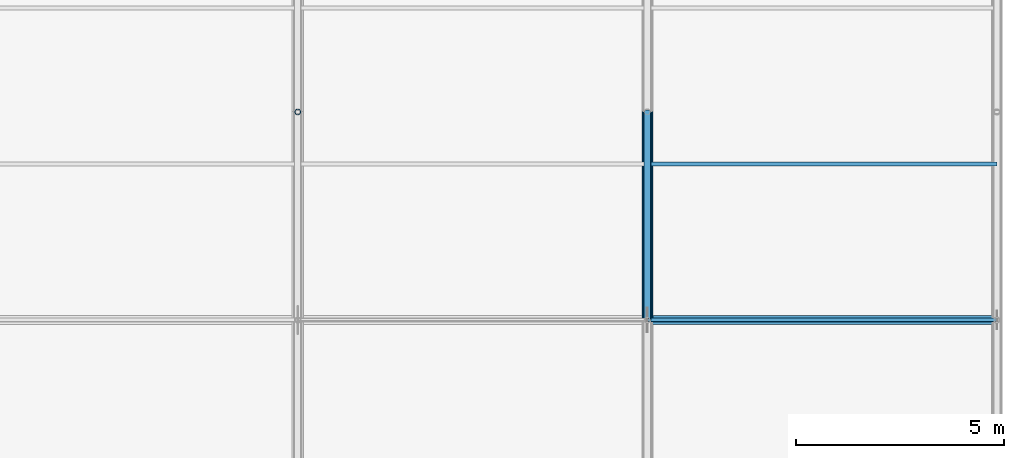
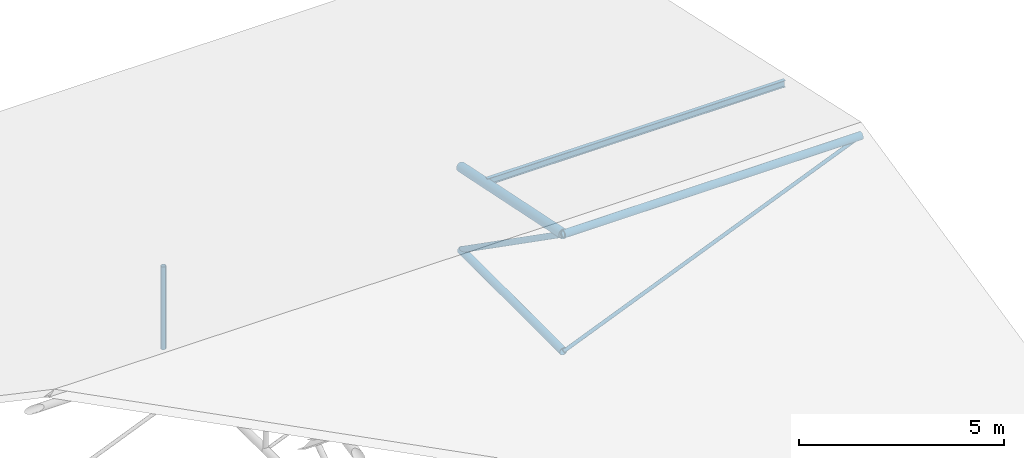
# One storey, part 110 of 194: 6 members, 1 beam.
"""IFC4 building model written with IfcOpenShell, lengths in metres."""

import ifcopenshell
import ifcopenshell.guid

model = None  # the IFC model being written
_history = None  # IfcOwnerHistory: only IFC2X3 demands one
_inside = {}  # id of a spatial element -> (the spatial element, [elements in it])
_under = {}  # id of a project, library or spatial element -> (it, [spatial elements below it])
_declared = {}  # id of a project -> (the project, [libraries it declares])
_typed = {}  # id of a type object -> (the type object, [elements of that type])
_made_of = {}  # id of a material, layer set ... -> (it, [elements and type objects made of it])


def new_model(schema):
    """Start an empty IFC model of exactly this schema.

    Asked for "IFC4X3", IfcOpenShell would pick the latest addendum, in which some entities
    have other attributes; the version numbers below select the first issue.
    IFC2X3 requires an IfcOwnerHistory on every rooted entity: one is made here for all.
    """
    global model, _history
    if schema == "IFC4X3":
        model = ifcopenshell.file(schema_version=(4, 3, 0, 0))
    else:
        model = ifcopenshell.file(schema=schema)
    _inside.clear()
    _under.clear()
    _declared.clear()
    _typed.clear()
    _made_of.clear()
    _history = None
    if model.schema == "IFC2X3":
        org = make("IfcOrganization", Name="unknown")
        user = make(
            "IfcPersonAndOrganization",
            ThePerson=make("IfcPerson", FamilyName="unknown"),
            TheOrganization=org,
        )
        app = make(
            "IfcApplication",
            ApplicationDeveloper=org,
            Version="unknown",
            ApplicationFullName="unknown",
            ApplicationIdentifier="unknown",
        )
        _history = make(
            "IfcOwnerHistory",
            OwningUser=user,
            OwningApplication=app,
            ChangeAction="ADDED",
            CreationDate=0,
        )
    return model


def make(cls, **values):
    """One entity of the class cls with the attributes given. An attribute that is None is left unset."""
    return model.create_entity(
        cls, **{name: value for name, value in values.items() if value is not None}
    )


def rooted(cls, **values):
    """An entity with a GlobalId (a new one), such as an element, a storey or a relation."""
    return make(cls, GlobalId=ifcopenshell.guid.new(), OwnerHistory=_history, **values)


def si_unit(unit_type, name, prefix=None):
    """IfcSIUnit, for example si_unit("LENGTHUNIT", "METRE", prefix="MILLI")."""
    return make("IfcSIUnit", UnitType=unit_type, Prefix=prefix, Name=name)


def assignment(units):
    """IfcUnitAssignment: the units of a project."""
    return None if units is None else make("IfcUnitAssignment", Units=units)


def point(xyz):
    """IfcCartesianPoint."""
    return None if xyz is None else make("IfcCartesianPoint", Coordinates=xyz)


def direction(xyz):
    """IfcDirection."""
    return None if xyz is None else make("IfcDirection", DirectionRatios=xyz)


def frame(location, z_axis=None, x_axis=None):
    """IfcAxis2Placement3D, a coordinate frame: its origin and axes. An axis left out is left unset."""
    return make(
        "IfcAxis2Placement3D",
        Location=point(location),
        Axis=direction(z_axis),
        RefDirection=direction(x_axis),
    )


def frame_2d(location, x_axis=None):
    """IfcAxis2Placement2D, a coordinate frame in the plane: its origin and x axis."""
    return make(
        "IfcAxis2Placement2D", Location=point(location), RefDirection=direction(x_axis)
    )


def origin():
    """The frame at (0, 0, 0) with its axes left unset."""
    return frame((0.0, 0.0, 0.0))


def origin_2d():
    """The frame at (0, 0) in the plane with its x axis left unset."""
    return frame_2d((0.0, 0.0))


def place(relative_to, where):
    """IfcLocalPlacement: puts the frame where relative to a parent placement (None: the world)."""
    return make(
        "IfcLocalPlacement", PlacementRelTo=relative_to, RelativePlacement=where
    )


def context(
    kind, dimensions, precision=None, world=None, true_north=None, identifier=None
):
    """IfcGeometricRepresentationContext, for example the 3D "Model" context."""
    return make(
        "IfcGeometricRepresentationContext",
        ContextIdentifier=identifier,
        ContextType=kind,
        CoordinateSpaceDimension=dimensions,
        Precision=precision,
        WorldCoordinateSystem=world,
        TrueNorth=true_north,
    )


def subcontext(parent, identifier, kind, view, scale=None):
    """IfcGeometricRepresentationSubContext, for example "Body" below "Model"."""
    return make(
        "IfcGeometricRepresentationSubContext",
        ContextIdentifier=identifier,
        ContextType=kind,
        ParentContext=parent,
        TargetScale=scale,
        TargetView=view,
    )


def project(units=None, contexts=None):
    """IfcProject with its units and contexts."""
    return rooted(
        "IfcProject",
        Name="project",
        RepresentationContexts=contexts,
        UnitsInContext=assignment(units),
    )


def spatial(cls, under=None, at=None, **own):
    """A site, building, storey or space (cls), placed at a placement, below another one or the project."""
    s = rooted(cls, ObjectPlacement=at, **own)
    if under is not None:
        _under.setdefault(under.id(), (under, []))[1].append(s)
    return s


def profile(cls, at=None, kind="AREA", **sizes):
    """A parametric profile (cls). Its sizes go by their IFC names, for example OverallWidth=200.0."""
    return make(cls, ProfileType=kind, Position=at, **sizes)


def hollow_circle(**sizes):
    """IfcCircleHollowProfileDef."""
    return profile("IfcCircleHollowProfileDef", **sizes)


def i_section(**sizes):
    """IfcIShapeProfileDef."""
    return profile("IfcIShapeProfileDef", **sizes)


def extrude(swept, where, along, depth):
    """IfcExtrudedAreaSolid: the profile swept, set in the frame where, extruded along a direction by depth."""
    return make(
        "IfcExtrudedAreaSolid",
        SweptArea=swept,
        Position=where,
        ExtrudedDirection=direction(along),
        Depth=depth,
    )


def shape(context_of_items, identifier, shape_type, items):
    """IfcShapeRepresentation: the items that make up one representation, for example the "Body"."""
    return make(
        "IfcShapeRepresentation",
        ContextOfItems=context_of_items,
        RepresentationIdentifier=identifier,
        RepresentationType=shape_type,
        Items=items,
    )


def material(Name=None, Category=None):
    """IfcMaterial."""
    return make("IfcMaterial", Name=Name, Category=Category)


def material_profile(
    of_material, cross_section, Name=None, Category=None, Priority=None
):
    """IfcMaterialProfile: a cross section and its material."""
    return make(
        "IfcMaterialProfile",
        Name=Name,
        Material=of_material,
        Profile=cross_section,
        Priority=Priority,
        Category=Category,
    )


def profile_set(profiles, Name=None, composite=None):
    """IfcMaterialProfileSet."""
    return make(
        "IfcMaterialProfileSet",
        Name=Name,
        MaterialProfiles=profiles,
        CompositeProfile=composite,
    )


def made_of(thing, what):
    """Note that an element or type object is made of a material, layer set ...; save() writes the relation."""
    if what is not None:
        _made_of.setdefault(what.id(), (what, []))[1].append(thing)
    return thing


def type_object(cls, material=None, **own):
    """A type object (cls), such as IfcWallType, which elements share."""
    return made_of(rooted(cls, **own), material)


def element(
    cls,
    number,
    at=None,
    inside=None,
    cuts=None,
    type_object=None,
    material=None,
    context=None,
    identifier="Body",
    shape_type=None,
    held_by="IfcProductDefinitionShape",
    body=None,
    shapes=None,
    **own,
):
    """One element of the class cls, such as IfcWall. Its Tag is "e" and its number.

    at: its placement. inside: the storey or other place that contains it. cuts: it is an
    opening in that element (IfcRelVoidsElement). A single representation is given by context,
    identifier, shape_type and body (its items); several are given by shapes. held_by: the class
    of the entity that holds the representations. save() writes the other relations.
    """
    e = rooted(cls, Tag="e%d" % number, ObjectPlacement=at, **own)
    if body is not None:
        shapes = [shape(context, identifier, shape_type, body)]
    if shapes is not None:
        e.Representation = make(held_by, Representations=shapes)
    if inside is not None:
        _inside.setdefault(inside.id(), (inside, []))[1].append(e)
    if cuts is not None:
        rooted(
            "IfcRelVoidsElement", RelatingBuildingElement=cuts, RelatedOpeningElement=e
        )
    if type_object is not None:
        _typed.setdefault(type_object.id(), (type_object, []))[1].append(e)
    return made_of(e, material)


def aggregate(whole, parts):
    """IfcRelAggregates: a whole, such as a stair, and the parts it consists of."""
    return rooted("IfcRelAggregates", RelatingObject=whole, RelatedObjects=parts)


def save(model, path):
    """Write the relations noted so far, then the file.

    IfcRelAggregates (storeys below a building ...), IfcRelContainedInSpatialStructure (elements
    in a storey), IfcRelDefinesByType, IfcRelAssociatesMaterial and IfcRelDeclares: one each for
    every whole, place, type object, material and project.
    """
    for whole, parts in _under.values():
        aggregate(whole, parts)
    for where, things in _inside.values():
        rooted(
            "IfcRelContainedInSpatialStructure",
            RelatedElements=things,
            RelatingStructure=where,
        )
    for kind, things in _typed.values():
        rooted("IfcRelDefinesByType", RelatedObjects=things, RelatingType=kind)
    for what, things in _made_of.values():
        rooted("IfcRelAssociatesMaterial", RelatedObjects=things, RelatingMaterial=what)
    for by, libraries in _declared.values():
        rooted("IfcRelDeclares", RelatingContext=by, RelatedDefinitions=libraries)
    model.write(path)


model = new_model("IFC4")

# Units and contexts
model_context = context("Model", 3, precision=1e-05, world=origin(), true_north=direction((0.0, 1.0)))
body_context = subcontext(model_context, "Body", "Model", "MODEL_VIEW")
ifc_project = project(units=[si_unit("LENGTHUNIT", "METRE"), si_unit("AREAUNIT", "SQUARE_METRE"), si_unit("VOLUMEUNIT", "CUBIC_METRE"), si_unit("PLANEANGLEUNIT", "RADIAN"), si_unit("MASSUNIT", "GRAM", prefix="KILO")], contexts=[model_context])

# Site, building, storey
site_placement = place(None, origin())
site = spatial("IfcSite", under=ifc_project, at=site_placement, CompositionType="ELEMENT")
building_placement = place(site_placement, origin())
building = spatial("IfcBuilding", under=site, at=building_placement, Name="Kazenagashi Tramway Depot", CompositionType="ELEMENT")
storey_placement = place(building_placement, frame((0.0, 0.0, 23.7)))
storey = spatial("IfcBuildingStorey", under=building, at=storey_placement, Name="ROOF", CompositionType="ELEMENT", Elevation=23.7)

# Beam
ifc_material_1 = material(Name="Steel SN400B", Category="steel")
ifc_material_profile_1 = material_profile(ifc_material_1, i_section(OverallWidth=0.1, OverallDepth=0.2, WebThickness=0.0055, FlangeThickness=0.008, at=origin_2d()), Name="H-200x100x5.5x8")
ifc_profile_set_1 = profile_set([ifc_material_profile_1], Name="Steel SN400B")
beam_type = type_object("IfcBeamType", Name="PR-01", PredefinedType="USERDEFINED", material=ifc_profile_set_1)
beam_placement = place(storey_placement, frame((187.6, 118.75, -11.305), z_axis=(1.0, 0.0, 0.0), x_axis=(0.0, 1.0, 0.0)))
element("IfcBeam", 1, at=beam_placement, inside=storey, type_object=beam_type, Name="Beam PR-01 BM-2197", ObjectType="PURLIN", PredefinedType="USERDEFINED", context=body_context, shape_type="SweptSolid", body=[
    extrude(i_section(OverallWidth=0.1, OverallDepth=0.2, WebThickness=0.0055, FlangeThickness=0.008, at=origin_2d()), origin(), (0.0, 0.0, 1.0), 8.4),
])

# Members
ifc_material_2 = material(Name="Steel STK490", Category="steel")
ifc_material_profile_2 = material_profile(ifc_material_2, hollow_circle(Radius=0.1337, WallThickness=0.0093, at=origin_2d()), Name="CHS-267.4x9.3")
ifc_profile_set_2 = profile_set([ifc_material_profile_2], Name="Steel STK490")
member_type_1 = type_object("IfcMemberType", Name="TC-01", PredefinedType="CHORD", material=ifc_profile_set_2)
member_1_placement = place(storey_placement, frame((187.6, 115.0, -10.6), z_axis=(0.0, 0.979317999984, -0.202327098797), x_axis=(-1.0, 0.0, 0.0)))
element("IfcMember", 2, at=member_1_placement, inside=storey, type_object=member_type_1, Name="Tubular Space Frame TC-01 MEM-1078", PredefinedType="CHORD", context=body_context, shape_type="SweptSolid", body=[
    extrude(hollow_circle(Radius=0.1337, WallThickness=0.0093, at=origin_2d()), origin(), (0.0, 0.0, 1.0), 5.105594),
])
ifc_material_profile_3 = material_profile(ifc_material_2, hollow_circle(Radius=0.10815, WallThickness=0.0082, at=origin_2d()), Name="CHS-216.3x8.2")
ifc_profile_set_3 = profile_set([ifc_material_profile_3], Name="Steel STK490")
member_type_2 = type_object("IfcMemberType", Name="TC-02", PredefinedType="CHORD", material=ifc_profile_set_3)
member_2_placement = place(storey_placement, frame((187.6, 115.0, -14.1), z_axis=(0.0, 1.0, 0.0), x_axis=(-1.0, 0.0, 0.0)))
element("IfcMember", 3, at=member_2_placement, inside=storey, type_object=member_type_2, Name="Tubular Space Frame TC-02 MEM-1079", PredefinedType="CHORD", context=body_context, shape_type="SweptSolid", body=[
    extrude(hollow_circle(Radius=0.10815, WallThickness=0.0082, at=origin_2d()), origin(), (0.0, 0.0, 1.0), 5.0),
])
member_3_placement = place(storey_placement, frame((187.6, 115.0, -10.6), z_axis=(1.0, 0.0, 0.0), x_axis=(0.0, 1.0, 0.0)))
element("IfcMember", 4, at=member_3_placement, inside=storey, type_object=member_type_2, Name="Tubular Space Frame TC-02 MEM-1095", PredefinedType="CHORD", context=body_context, shape_type="SweptSolid", body=[
    extrude(hollow_circle(Radius=0.10815, WallThickness=0.0082, at=origin_2d()), origin(), (0.0, 0.0, 1.0), 8.4),
])
ifc_material_profile_4 = material_profile(ifc_material_2, hollow_circle(Radius=0.0826, WallThickness=0.0071, at=origin_2d()), Name="CHS-165.2x7.1")
ifc_profile_set_4 = profile_set([ifc_material_profile_4], Name="Steel STK490")
member_type_3 = type_object("IfcMemberType", Name="TS-01", PredefinedType="STRUT", material=ifc_profile_set_4)
member_4_placement = place(storey_placement, frame((187.6, 115.0, -10.6), z_axis=(0.0, 0.819231920519, -0.573462344363), x_axis=(-1.0, 0.0, 0.0)))
element("IfcMember", 5, at=member_4_placement, inside=storey, type_object=member_type_3, Name="Tubular Space Frame TS-01 MEM-1080", PredefinedType="STRUT", context=body_context, shape_type="SweptSolid", body=[
    extrude(hollow_circle(Radius=0.0826, WallThickness=0.0071, at=origin_2d()), origin(), (0.0, 0.0, 1.0), 6.103278),
])
ifc_material_profile_5 = material_profile(ifc_material_2, hollow_circle(Radius=0.0699, WallThickness=0.0066, at=origin_2d()), Name="CHS-139.8x6.6")
ifc_profile_set_5 = profile_set([ifc_material_profile_5], Name="Steel STK490")
member_type_4 = type_object("IfcMemberType", Name="TS-02", PredefinedType="STRUT", material=ifc_profile_set_5)
member_5_placement = place(storey_placement, frame((179.2, 120.0, -14.1), z_axis=(0.0, 0.0, 1.0), x_axis=(1.0, 0.0, 0.0)))
element("IfcMember", 6, at=member_5_placement, inside=storey, type_object=member_type_4, Name="Tubular Space Frame TS-02 MEM-1029", PredefinedType="STRUT", context=body_context, shape_type="SweptSolid", body=[
    extrude(hollow_circle(Radius=0.0699, WallThickness=0.0066, at=origin_2d()), origin(), (0.0, 0.0, 1.0), 2.467),
])
ifc_material_3 = material(Name="Steel STK400", Category="steel")
ifc_material_profile_6 = material_profile(ifc_material_3, hollow_circle(Radius=0.0508, WallThickness=0.0042, at=origin_2d()), Name="CHS-101.6x4.2")
ifc_profile_set_6 = profile_set([ifc_material_profile_6], Name="Steel STK400")
member_type_5 = type_object("IfcMemberType", Name="TS-06", PredefinedType="STRUT", material=ifc_profile_set_6)
member_6_placement = place(storey_placement, frame((187.6, 115.0, -14.1), z_axis=(0.923076923077, 0.0, 0.384615384615), x_axis=(0.0, 1.0, 0.0)))
element("IfcMember", 7, at=member_6_placement, inside=storey, type_object=member_type_5, Name="Tubular Space Frame TS-06 MEM-1096", PredefinedType="STRUT", context=body_context, shape_type="SweptSolid", body=[
    extrude(hollow_circle(Radius=0.0508, WallThickness=0.0042, at=origin_2d()), origin(), (0.0, 0.0, 1.0), 9.1),
])

save(model, "model.ifc")
